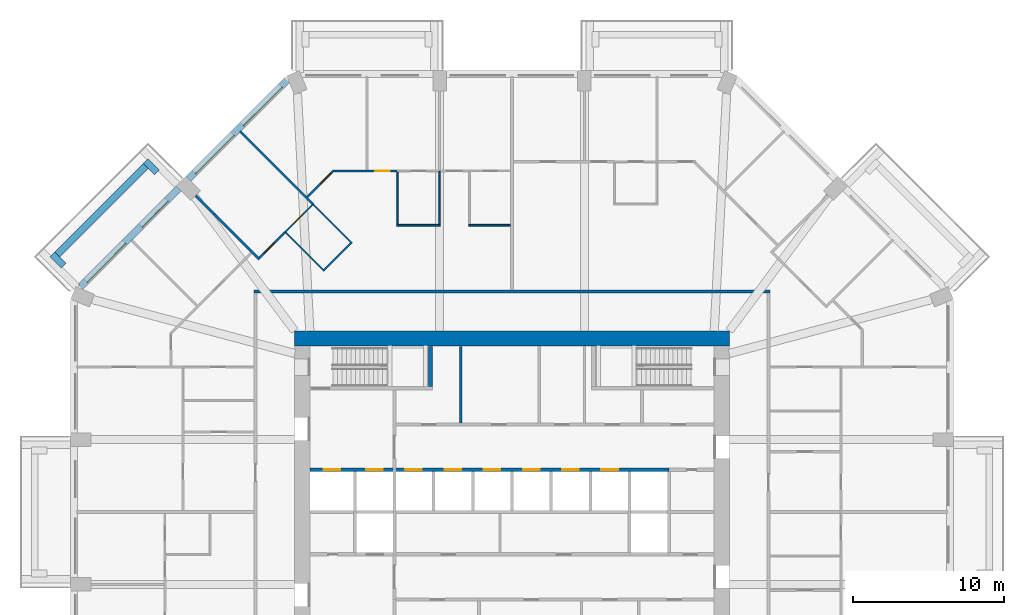
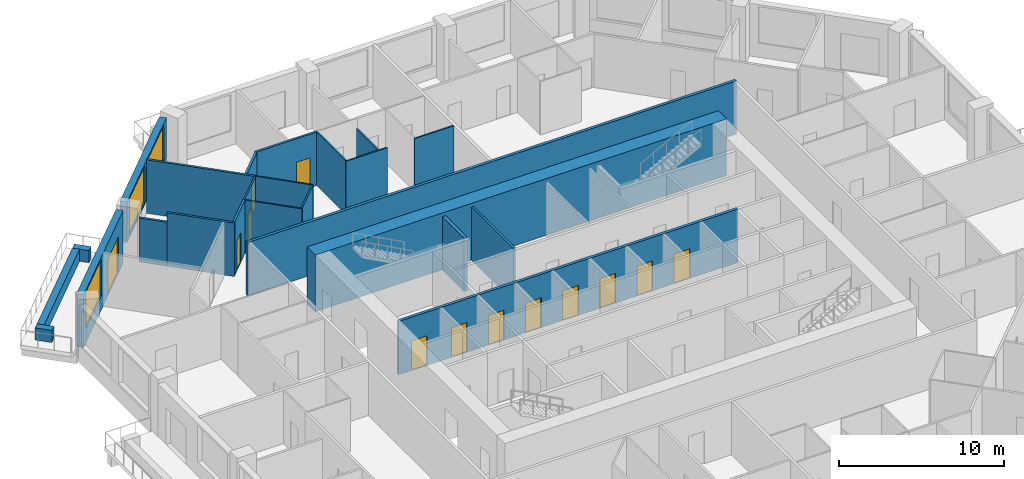
# One storey, part 8 of 13: 24 walls, 13 doors, 3 windows, 16 openings.
"""IFC4 building model written with IfcOpenShell, lengths in metres."""

from ifc_helpers import new_model, si_unit, direction, frame, frame_2d, origin, place, context, subcontext, project, spatial, rectangle, extrude, material, layer, layer_set, type_object, element, fill, save


model = new_model("IFC4")

# Units and contexts
model_context = context("Model", 3, precision=1e-05, world=origin(), true_north=direction((0.0, 1.0)))
body_context = subcontext(model_context, "Body", "Model", "MODEL_VIEW")
ifc_project = project(units=[si_unit("LENGTHUNIT", "METRE"), si_unit("AREAUNIT", "SQUARE_METRE"), si_unit("VOLUMEUNIT", "CUBIC_METRE"), si_unit("PLANEANGLEUNIT", "RADIAN"), si_unit("MASSUNIT", "GRAM", prefix="KILO")], contexts=[model_context])

# Site, building, storey
site_placement = place(None, origin())
site = spatial("IfcSite", under=ifc_project, at=site_placement, CompositionType="ELEMENT")
building_placement = place(site_placement, origin())
building = spatial("IfcBuilding", under=site, at=building_placement, Name="Msitu Wima Residences", CompositionType="ELEMENT")
storey_placement = place(building_placement, frame((0.0, 0.0, 38.10009765625)))
storey = spatial("IfcBuildingStorey", under=building, at=storey_placement, Name="L08", CompositionType="ELEMENT", Elevation=38.10009765625)

# Walls
ifc_material_1 = material(Name="Facing brick")
ifc_layer_1 = layer(ifc_material_1, 0.06494140625, Name="Facing brick")
ifc_material_2 = material(Name="Concrete C40/50", Category="concrete")
ifc_layer_2 = layer(ifc_material_2, 0.156005859375, Name="Concrete C40/50")
ifc_material_3 = material(Name="Waterproofing membrane")
ifc_layer_3 = layer(ifc_material_3, 0.00390625, Name="Waterproofing membrane")
ifc_material_4 = material(Name="Planting soil and planting")
ifc_layer_4 = layer(ifc_material_4, 0.22509765625, Name="Planting soil and planting")
ifc_layer_set_1 = layer_set([ifc_layer_1, ifc_layer_2, ifc_layer_3, ifc_layer_4], Name="Concrete C40/50")
wall_type_1 = type_object("IfcWallType", Name="Balcony planter PLANTER PL450", PredefinedType="USERDEFINED", material=ifc_layer_set_1)
wall_1_placement = place(storey_placement, frame((-24.269287109375, 22.92578125, 0.0), z_axis=(0.0, 0.0, 1.0), x_axis=(-0.707106781187, -0.707106781187, 0.0)))
element("IfcWall", 1, at=wall_1_placement, inside=storey, type_object=wall_type_1, Name="Balcony planter NW1 L08", ObjectType="PLANTER", PredefinedType="USERDEFINED", context=body_context, shape_type="SweptSolid", body=[
    extrude(rectangle(XDim=8.2822265625, YDim=0.449951171875, at=frame_2d((4.14111328125, 0.0))), origin(), (0.0, 0.0, 1.0), 0.89990234375),
])
for number, where, z_axis, x_axis, name in (
    (2, (-23.52685546875, 22.50146484375, 0.0), (0.0, 0.0, 1.0), (-0.706990528533, 0.707223014731, 0.0), "Balcony planter NW1 L08"),
    (3, (-29.70166015625, 16.326904296875, 0.0), (0.0, 0.0, 1.0), (-0.707106781187, 0.707106781187, 0.0), "Balcony planter NW1 L08"),
):
    element("IfcWall", number, at=place(storey_placement, frame(where, z_axis=z_axis, x_axis=x_axis)), inside=storey, type_object=wall_type_1, Name=name, ObjectType="PLANTER", PredefinedType="USERDEFINED", context=body_context, shape_type="SweptSolid", body=[
        extrude(rectangle(XDim=1.050048828125, YDim=0.449951171875, at=frame_2d((0.52490234375, 0.0))), origin(), (0.0, 0.0, 1.0), 0.89990234375),
    ])

# Wall, openings, windows
ifc_material_5 = material(Name="Brick (red buff mix)", Category="masonry")
ifc_layer_5 = layer(ifc_material_5, 0.449951171875)
ifc_layer_set_2 = layer_set([ifc_layer_5], Name="Brick (red buff mix)")
wall_type_2 = type_object("IfcWallType", Name="Brick infill wall BW450", PredefinedType="SOLIDWALL", material=ifc_layer_set_2)
wall_2_placement = place(storey_placement, frame((-14.903564453125, 28.61474609375, 0.89990234375), z_axis=(0.0, 0.0, 1.0), x_axis=(-0.707106781187, -0.707106781187, 0.0)))
wall_2 = element("IfcWall", 4, at=wall_2_placement, inside=storey, type_object=wall_type_2, Name="Brick infill wall L08 NW0", PredefinedType="SOLIDWALL", context=body_context, shape_type="SweptSolid", body=[
    extrude(rectangle(XDim=9.2451171875, YDim=0.449951171875, at=frame_2d((4.62255859375, 0.0))), origin(), (0.0, 0.0, 1.0), 3.0),
])
opening_1_placement = place(wall_2_placement, frame((0.572509765625, 0.0, 0.14990234375)))
opening_1 = element("IfcOpeningElement", 5, at=opening_1_placement, cuts=wall_2, Name="Opening W08-10.013", PredefinedType="OPENING", context=body_context, shape_type="SweptSolid", body=[
    extrude(rectangle(XDim=3.60009765625, YDim=2.699951171875, at=frame_2d((1.800048828125, 1.35009765625))), frame((0.0, 0.23486328125, 0.0), z_axis=(0.0, -1.0, 0.0), x_axis=(1.0, 0.0, 0.0)), (0.0, 0.0, 1.0), 0.469970703125),
])
opening_2_placement = place(wall_2_placement, frame((5.072509765625, 0.0, 0.14990234375)))
opening_2 = element("IfcOpeningElement", 6, at=opening_2_placement, cuts=wall_2, Name="Opening W08-10.014", PredefinedType="OPENING", context=body_context, shape_type="SweptSolid", body=[
    extrude(rectangle(XDim=3.60009765625, YDim=2.699951171875, at=frame_2d((1.800048828125, 1.35009765625))), frame((0.0, 0.23486328125, 0.0), z_axis=(0.0, -1.0, 0.0), x_axis=(1.0, 0.0, 0.0)), (0.0, 0.0, 1.0), 0.469970703125),
])
ifc_material_6 = material(Name="Anodised aluminium, bronze finish, clear low-emissivity double glazing", Category="aluminium")
window_type = type_object("IfcWindowType", Name="Window W3600x2700", PartitioningType="DOUBLE_PANEL_VERTICAL", PredefinedType="WINDOW", material=ifc_material_6)
window_1_placement = place(opening_1_placement, origin())
window_1 = element("IfcWindow", 7, at=window_1_placement, inside=storey, type_object=window_type, Name="Window L08 NW0.1", OverallHeight=2.699951171875, OverallWidth=3.60009765625, PartitioningType="SINGLE_PANEL", PredefinedType="WINDOW", context=body_context, shape_type="SweptSolid", body=[
    extrude(rectangle(XDim=3.60009765625, YDim=2.699951171875, at=frame_2d((1.800048828125, 1.35009765625))), frame((0.0, 0.135009765625, 0.0), z_axis=(0.0, -1.0, 0.0), x_axis=(1.0, 0.0, 0.0)), (0.0, 0.0, 1.0), 0.06005859375),
])
fill(opening_1, window_1)
window_2_placement = place(opening_2_placement, origin())
window_2 = element("IfcWindow", 8, at=window_2_placement, inside=storey, type_object=window_type, Name="Window L08 NW0.2", OverallHeight=2.699951171875, OverallWidth=3.60009765625, PartitioningType="SINGLE_PANEL", PredefinedType="WINDOW", context=body_context, shape_type="SweptSolid", body=[
    extrude(rectangle(XDim=3.60009765625, YDim=2.699951171875, at=frame_2d((1.800048828125, 1.35009765625))), frame((0.0, 0.135009765625, 0.0), z_axis=(0.0, -1.0, 0.0), x_axis=(1.0, 0.0, 0.0)), (0.0, 0.0, 1.0), 0.06005859375),
])
fill(opening_2, window_2)

# Wall, openings, door, window
wall_3_placement = place(storey_placement, frame((-22.077392578125, 21.44091796875, 0.0), z_axis=(0.0, 0.0, 1.0), x_axis=(-0.707106781187, -0.707106781187, 0.0)))
wall_3 = element("IfcWall", 9, at=wall_3_placement, inside=storey, type_object=wall_type_2, Name="Brick infill wall L08 NW1", PredefinedType="SOLIDWALL", context=body_context, shape_type="SweptSolid", body=[
    extrude(rectangle(XDim=9.2451171875, YDim=0.449951171875, at=frame_2d((4.62255859375, 0.0))), origin(), (0.0, 0.0, 1.0), 3.89990234375),
])
opening_3_placement = place(wall_3_placement, frame((1.111328125, 0.0, 0.0)))
opening_3 = element("IfcOpeningElement", 10, at=opening_3_placement, cuts=wall_3, Name="Opening D08-10.005", PredefinedType="OPENING", context=body_context, shape_type="SweptSolid", body=[
    extrude(rectangle(XDim=2.39990234375, YDim=2.699951171875, at=frame_2d((1.199951171875, 1.35009765625))), frame((0.0, 0.23486328125, 0.0), z_axis=(0.0, -1.0, 0.0), x_axis=(1.0, 0.0, 0.0)), (0.0, 0.0, 1.0), 0.469970703125),
])
opening_4_placement = place(wall_3_placement, frame((5.072509765625, 0.0, 1.050048828125)))
opening_4 = element("IfcOpeningElement", 11, at=opening_4_placement, cuts=wall_3, Name="Opening W08-10.015", PredefinedType="OPENING", context=body_context, shape_type="SweptSolid", body=[
    extrude(rectangle(XDim=3.60009765625, YDim=2.699951171875, at=frame_2d((1.800048828125, 1.35009765625))), frame((0.0, 0.23486328125, 0.0), z_axis=(0.0, -1.0, 0.0), x_axis=(1.0, 0.0, 0.0)), (0.0, 0.0, 1.0), 0.469970703125),
])
door_type_1 = type_object("IfcDoorType", Name="Balcony door D2400x2700", OperationType="SLIDING_TO_LEFT", PredefinedType="DOOR", material=ifc_material_6)
door_1_placement = place(opening_3_placement, origin())
door_1 = element("IfcDoor", 12, at=door_1_placement, inside=storey, type_object=door_type_1, Name="Balcony door L08 NW1", OperationType="SINGLE_SWING_LEFT", OverallHeight=2.699951171875, OverallWidth=2.39990234375, PredefinedType="DOOR", context=body_context, shape_type="SweptSolid", body=[
    extrude(rectangle(XDim=2.39990234375, YDim=2.699951171875, at=frame_2d((1.199951171875, 1.35009765625))), frame((0.0, 0.1298828125, 0.0), z_axis=(0.0, -1.0, 0.0), x_axis=(1.0, 0.0, 0.0)), (0.0, 0.0, 1.0), 0.050048828125),
])
fill(opening_3, door_1)
window_3_placement = place(opening_4_placement, origin())
window_3 = element("IfcWindow", 13, at=window_3_placement, inside=storey, type_object=window_type, Name="Window L08 NW1.2", OverallHeight=2.699951171875, OverallWidth=3.60009765625, PartitioningType="SINGLE_PANEL", PredefinedType="WINDOW", context=body_context, shape_type="SweptSolid", body=[
    extrude(rectangle(XDim=3.60009765625, YDim=2.699951171875, at=frame_2d((1.800048828125, 1.35009765625))), frame((0.0, 0.135009765625, 0.0), z_axis=(0.0, -1.0, 0.0), x_axis=(1.0, 0.0, 0.0)), (0.0, 0.0, 1.0), 0.06005859375),
])
fill(opening_4, window_3)

# Walls
ifc_material_7 = material(Name="Concrete C80/95", Category="concrete")
ifc_layer_6 = layer(ifc_material_7, 1.0)
ifc_layer_set_3 = layer_set([ifc_layer_6], Name="Concrete C80/95")
wall_type_3 = type_object("IfcWallType", Name="Core wall CW1000 C80/95", PredefinedType="SHEAR", material=ifc_layer_set_3)
wall_4_placement = place(storey_placement, frame((-14.39990234375, 11.5, 0.0), z_axis=(0.0, 0.0, 1.0), x_axis=(1.0, 0.0, 0.0)))
element("IfcWall", 14, at=wall_4_placement, inside=storey, type_object=wall_type_3, Name="Core wall", PredefinedType="SHEAR", context=body_context, shape_type="SweptSolid", body=[
    extrude(rectangle(XDim=28.7998046875, YDim=1.0, at=frame_2d((14.39990234375, 0.0))), origin(), (0.0, 0.0, 1.0), 4.199951171875),
])
ifc_material_8 = material(Name="Plaster")
ifc_layer_7 = layer(ifc_material_8, 0.011962890625, Name="Plaster")
ifc_material_9 = material(Name="Concrete blockwork", Category="masonry")
ifc_layer_8 = layer(ifc_material_9, 0.176025390625, Name="Concrete blockwork")
ifc_layer_9 = layer(ifc_material_8, 0.011962890625, Name="Plaster")
ifc_layer_set_4 = layer_set([ifc_layer_7, ifc_layer_8, ifc_layer_9], Name="Concrete blockwork")
wall_type_4 = type_object("IfcWallType", Name="Corridor wall FW200", PredefinedType="PARTITIONING", material=ifc_layer_set_4)
wall_5_placement = place(storey_placement, frame((-17.10009765625, 14.60009765625, 0.0), z_axis=(0.0, 0.0, 1.0), x_axis=(1.0, 0.0, 0.0)))
element("IfcWall", 15, at=wall_5_placement, inside=storey, type_object=wall_type_4, Name="Corridor wall", PredefinedType="PARTITIONING", context=body_context, shape_type="SweptSolid", body=[
    extrude(rectangle(XDim=34.2001953125, YDim=0.199951171875, at=frame_2d((17.10009765625, 0.0))), origin(), (0.0, 0.0, 1.0), 3.949951171875),
])
ifc_layer_10 = layer(ifc_material_8, 0.011962890625, Name="Plaster")
ifc_layer_11 = layer(ifc_material_9, 0.1259765625, Name="Concrete blockwork")
ifc_layer_12 = layer(ifc_material_8, 0.011962890625, Name="Plaster")
ifc_layer_set_5 = layer_set([ifc_layer_10, ifc_layer_11, ifc_layer_12], Name="Concrete blockwork")
wall_type_5 = type_object("IfcWallType", Name="Partition PW150", PredefinedType="PARTITIONING", material=ifc_layer_set_5)
wall_6_placement = place(storey_placement, frame((-20.963623046875, 20.963623046875, 0.0), z_axis=(0.0, 0.0, 1.0), x_axis=(0.707106781187, -0.707106781187, 0.0)))
element("IfcWall", 16, at=wall_6_placement, inside=storey, type_object=wall_type_5, Name="Partition", PredefinedType="PARTITIONING", context=body_context, shape_type="SweptSolid", body=[
    extrude(rectangle(XDim=1.74853515625, YDim=0.14990234375, at=frame_2d((0.874267578125, 0.0))), origin(), (0.0, 0.0, 1.0), 3.25),
])
wall_7_placement = place(storey_placement, frame((-19.727294921875, 19.727294921875, 0.0), z_axis=(0.0, 0.0, 1.0), x_axis=(0.707106781187, -0.707106781187, 0.0)))
element("IfcWall", 17, at=wall_7_placement, inside=storey, type_object=wall_type_5, Name="Partition", PredefinedType="PARTITIONING", context=body_context, shape_type="SweptSolid", body=[
    extrude(rectangle(XDim=4.226806640625, YDim=0.14990234375, at=frame_2d((2.11328125, 0.0))), origin(), (0.0, 0.0, 1.0), 3.949951171875),
])
wall_8_placement = place(storey_placement, frame((-18.017578125, 25.2177734375, 0.0), z_axis=(0.0, 0.0, 1.0), x_axis=(0.707088947697, -0.707124614226, 0.0)))
element("IfcWall", 18, at=wall_8_placement, inside=storey, type_object=wall_type_5, Name="Partition", PredefinedType="PARTITIONING", context=body_context, shape_type="SweptSolid", body=[
    extrude(rectangle(XDim=6.844970703125, YDim=0.14990234375, at=frame_2d((3.42236328125, 0.0))), origin(), (0.0, 0.0, 1.0), 3.949951171875),
])

# Wall, opening, door
wall_9_placement = place(storey_placement, frame((-16.738525390625, 16.8447265625, 0.0), z_axis=(0.0, 0.0, 1.0), x_axis=(0.707106781187, 0.707106781187, 0.0)))
wall_9 = element("IfcWall", 19, at=wall_9_placement, inside=storey, type_object=wall_type_5, Name="Partition", PredefinedType="PARTITIONING", context=body_context, shape_type="SweptSolid", body=[
    extrude(rectangle(XDim=2.396240234375, YDim=0.14990234375, at=frame_2d((1.1982421875, 0.0))), origin(), (0.0, 0.0, 1.0), 3.949951171875),
])
opening_5_placement = place(wall_9_placement, frame((0.449951171875, 0.0, 0.0)))
opening_5 = element("IfcOpeningElement", 20, at=opening_5_placement, cuts=wall_9, Name="Opening D08-10.054", PredefinedType="OPENING", context=body_context, shape_type="SweptSolid", body=[
    extrude(rectangle(XDim=0.949951171875, YDim=2.199951171875, at=frame_2d((0.47509765625, 1.10009765625))), frame((0.0, 0.0849609375, 0.0), z_axis=(0.0, -1.0, 0.0), x_axis=(1.0, 0.0, 0.0)), (0.0, 0.0, 1.0), 0.169921875),
])
ifc_material_10 = material(Name="Timber flush door", Category="wood")
door_type_2 = type_object("IfcDoorType", Name="Room door D12 950x2200", OperationType="SINGLE_SWING_LEFT", PredefinedType="DOOR", material=ifc_material_10)
door_2_placement = place(opening_5_placement, origin())
door_2 = element("IfcDoor", 21, at=door_2_placement, inside=storey, type_object=door_type_2, Name="Room door", OperationType="SINGLE_SWING_LEFT", OverallHeight=2.199951171875, OverallWidth=0.949951171875, PredefinedType="DOOR", context=body_context, shape_type="SweptSolid", body=[
    extrude(rectangle(XDim=0.949951171875, YDim=2.199951171875, at=frame_2d((0.47509765625, 1.10009765625))), frame((0.0, 0.02490234375, 0.0), z_axis=(0.0, -1.0, 0.0), x_axis=(1.0, 0.0, 0.0)), (0.0, 0.0, 1.0), 0.050048828125),
])
fill(opening_5, door_2)

wall_10_placement = place(storey_placement, frame((-13.56298828125, 20.868896484375, 0.0), z_axis=(0.0, 0.0, 1.0), x_axis=(0.707106781187, 0.707106781187, 0.0)))
wall_10 = element("IfcWall", 22, at=wall_10_placement, inside=storey, type_object=wall_type_5, Name="Partition", PredefinedType="PARTITIONING", context=body_context, shape_type="SweptSolid", body=[
    extrude(rectangle(XDim=2.373046875, YDim=0.14990234375, at=frame_2d((1.1865234375, 0.0))), origin(), (0.0, 0.0, 1.0), 3.949951171875),
])
opening_6_placement = place(wall_10_placement, frame((1.25, 0.0, 0.0)))
opening_6 = element("IfcOpeningElement", 23, at=opening_6_placement, cuts=wall_10, Name="Opening D08-10.057", PredefinedType="OPENING", context=body_context, shape_type="SweptSolid", body=[
    extrude(rectangle(XDim=0.949951171875, YDim=2.199951171875, at=frame_2d((0.47509765625, 1.10009765625))), frame((0.0, 0.0849609375, 0.0), z_axis=(0.0, -1.0, 0.0), x_axis=(1.0, 0.0, 0.0)), (0.0, 0.0, 1.0), 0.169921875),
])
door_3_placement = place(opening_6_placement, origin())
door_3 = element("IfcDoor", 24, at=door_3_placement, inside=storey, type_object=door_type_2, Name="Room door", OperationType="SINGLE_SWING_LEFT", OverallHeight=2.199951171875, OverallWidth=0.949951171875, PredefinedType="DOOR", context=body_context, shape_type="SweptSolid", body=[
    extrude(rectangle(XDim=0.949951171875, YDim=2.199951171875, at=frame_2d((0.47509765625, 1.10009765625))), frame((0.0, 0.02490234375, 0.0), z_axis=(0.0, -1.0, 0.0), x_axis=(1.0, 0.0, 0.0)), (0.0, 0.0, 1.0), 0.050048828125),
])
fill(opening_6, door_3)

wall_11_placement = place(storey_placement, frame((-11.906982421875, 22.60009765625, 0.0), z_axis=(0.0, 0.0, 1.0), x_axis=(1.0, 0.0, 0.0)))
wall_11 = element("IfcWall", 25, at=wall_11_placement, inside=storey, type_object=wall_type_5, Name="Partition", PredefinedType="PARTITIONING", context=body_context, shape_type="SweptSolid", body=[
    extrude(rectangle(XDim=4.306884765625, YDim=0.14990234375, at=frame_2d((2.1533203125, 0.0))), origin(), (0.0, 0.0, 1.0), 3.949951171875),
])
opening_7_placement = place(wall_11_placement, frame((2.85009765625, 0.0, 0.0)))
opening_7 = element("IfcOpeningElement", 26, at=opening_7_placement, cuts=wall_11, Name="Opening D08-10.049", PredefinedType="OPENING", context=body_context, shape_type="SweptSolid", body=[
    extrude(rectangle(XDim=0.949951171875, YDim=2.199951171875, at=frame_2d((0.47509765625, 1.10009765625))), frame((0.0, 0.0849609375, 0.0), z_axis=(0.0, -1.0, 0.0), x_axis=(1.0, 0.0, 0.0)), (0.0, 0.0, 1.0), 0.169921875),
])
door_4_placement = place(opening_7_placement, origin())
door_4 = element("IfcDoor", 27, at=door_4_placement, inside=storey, type_object=door_type_2, Name="Room door", OperationType="SINGLE_SWING_LEFT", OverallHeight=2.199951171875, OverallWidth=0.949951171875, PredefinedType="DOOR", context=body_context, shape_type="SweptSolid", body=[
    extrude(rectangle(XDim=0.949951171875, YDim=2.199951171875, at=frame_2d((0.47509765625, 1.10009765625))), frame((0.0, 0.02490234375, 0.0), z_axis=(0.0, -1.0, 0.0), x_axis=(1.0, 0.0, 0.0)), (0.0, 0.0, 1.0), 0.050048828125),
])
fill(opening_7, door_4)

# Wall
wall_12_placement = place(storey_placement, frame((-3.39990234375, 5.89990234375, 0.0), z_axis=(0.0, 0.0, 1.0), x_axis=(0.0, 1.0, 0.0)))
element("IfcWall", 28, at=wall_12_placement, inside=storey, type_object=wall_type_5, Name="Partition", PredefinedType="PARTITIONING", context=body_context, shape_type="SweptSolid", body=[
    extrude(rectangle(XDim=5.070068359375, YDim=0.14990234375, at=frame_2d((2.53515625, 0.0))), origin(), (0.0, 0.0, 1.0), 3.949951171875),
])

# Wall, openings, doors
ifc_material_11 = material(Name="Fire-rated board")
ifc_layer_13 = layer(ifc_material_11, 0.02490234375, Name="Fire-rated board")
ifc_material_12 = material(Name="Light-gauge stud framing with mineral wool")
ifc_layer_14 = layer(ifc_material_12, 0.14990234375, Name="Light-gauge stud framing with mineral wool")
ifc_layer_15 = layer(ifc_material_11, 0.02490234375, Name="Fire-rated board")
ifc_layer_set_6 = layer_set([ifc_layer_13, ifc_layer_14, ifc_layer_15], Name="Light-gauge stud framing with mineral wool")
wall_type_6 = type_object("IfcWallType", Name="Shaft wall SH200", PredefinedType="PARTITIONING", material=ifc_layer_set_6)
wall_13_placement = place(storey_placement, frame((-13.3701171875, 2.800048828125, 0.0), z_axis=(0.0, 0.0, 1.0), x_axis=(1.0, 0.0, 0.0)))
wall_13 = element("IfcWall", 29, at=wall_13_placement, inside=storey, type_object=wall_type_6, Name="Shaft wall", PredefinedType="PARTITIONING", context=body_context, shape_type="SweptSolid", body=[
    extrude(rectangle(XDim=23.77001953125, YDim=0.199951171875, at=frame_2d((11.885009765625, 0.0))), origin(), (0.0, 0.0, 1.0), 3.949951171875),
])
opening_8_placement = place(wall_13_placement, frame((0.89990234375, 0.0, 0.0)))
opening_8 = element("IfcOpeningElement", 30, at=opening_8_placement, cuts=wall_13, Name="Opening LD", PredefinedType="OPENING", context=body_context, shape_type="SweptSolid", body=[
    extrude(rectangle(XDim=1.10009765625, YDim=2.199951171875, at=frame_2d((0.550048828125, 1.10009765625))), frame((0.0, 0.10986328125, 0.0), z_axis=(0.0, -1.0, 0.0), x_axis=(1.0, 0.0, 0.0)), (0.0, 0.0, 1.0), 0.219970703125),
])
opening_9_placement = place(wall_13_placement, frame((3.699951171875, 0.0, 0.0)))
opening_9 = element("IfcOpeningElement", 31, at=opening_9_placement, cuts=wall_13, Name="Opening LD", PredefinedType="OPENING", context=body_context, shape_type="SweptSolid", body=[
    extrude(rectangle(XDim=1.10009765625, YDim=2.199951171875, at=frame_2d((0.550048828125, 1.10009765625))), frame((0.0, 0.10986328125, 0.0), z_axis=(0.0, -1.0, 0.0), x_axis=(1.0, 0.0, 0.0)), (0.0, 0.0, 1.0), 0.219970703125),
])
opening_10_placement = place(wall_13_placement, frame((6.300048828125, 0.0, 0.0)))
opening_10 = element("IfcOpeningElement", 32, at=opening_10_placement, cuts=wall_13, Name="Opening LD", PredefinedType="OPENING", context=body_context, shape_type="SweptSolid", body=[
    extrude(rectangle(XDim=1.10009765625, YDim=2.199951171875, at=frame_2d((0.550048828125, 1.10009765625))), frame((0.0, 0.10986328125, 0.0), z_axis=(0.0, -1.0, 0.0), x_axis=(1.0, 0.0, 0.0)), (0.0, 0.0, 1.0), 0.219970703125),
])
opening_11_placement = place(wall_13_placement, frame((8.89990234375, 0.0, 0.0)))
opening_11 = element("IfcOpeningElement", 33, at=opening_11_placement, cuts=wall_13, Name="Opening LD", PredefinedType="OPENING", context=body_context, shape_type="SweptSolid", body=[
    extrude(rectangle(XDim=1.10009765625, YDim=2.199951171875, at=frame_2d((0.550048828125, 1.10009765625))), frame((0.0, 0.10986328125, 0.0), z_axis=(0.0, -1.0, 0.0), x_axis=(1.0, 0.0, 0.0)), (0.0, 0.0, 1.0), 0.219970703125),
])
opening_12_placement = place(wall_13_placement, frame((11.5, 0.0, 0.0)))
opening_12 = element("IfcOpeningElement", 34, at=opening_12_placement, cuts=wall_13, Name="Opening LD", PredefinedType="OPENING", context=body_context, shape_type="SweptSolid", body=[
    extrude(rectangle(XDim=1.10009765625, YDim=2.199951171875, at=frame_2d((0.550048828125, 1.10009765625))), frame((0.0, 0.10986328125, 0.0), z_axis=(0.0, -1.0, 0.0), x_axis=(1.0, 0.0, 0.0)), (0.0, 0.0, 1.0), 0.219970703125),
])
opening_13_placement = place(wall_13_placement, frame((14.10009765625, 0.0, 0.0)))
opening_13 = element("IfcOpeningElement", 35, at=opening_13_placement, cuts=wall_13, Name="Opening LD", PredefinedType="OPENING", context=body_context, shape_type="SweptSolid", body=[
    extrude(rectangle(XDim=1.10009765625, YDim=2.199951171875, at=frame_2d((0.550048828125, 1.10009765625))), frame((0.0, 0.10986328125, 0.0), z_axis=(0.0, -1.0, 0.0), x_axis=(1.0, 0.0, 0.0)), (0.0, 0.0, 1.0), 0.219970703125),
])
opening_14_placement = place(wall_13_placement, frame((16.699951171875, 0.0, 0.0)))
opening_14 = element("IfcOpeningElement", 36, at=opening_14_placement, cuts=wall_13, Name="Opening LD", PredefinedType="OPENING", context=body_context, shape_type="SweptSolid", body=[
    extrude(rectangle(XDim=1.10009765625, YDim=2.199951171875, at=frame_2d((0.550048828125, 1.10009765625))), frame((0.0, 0.10986328125, 0.0), z_axis=(0.0, -1.0, 0.0), x_axis=(1.0, 0.0, 0.0)), (0.0, 0.0, 1.0), 0.219970703125),
])
opening_15_placement = place(wall_13_placement, frame((19.300048828125, 0.0, 0.0)))
opening_15 = element("IfcOpeningElement", 37, at=opening_15_placement, cuts=wall_13, Name="Opening LD", PredefinedType="OPENING", context=body_context, shape_type="SweptSolid", body=[
    extrude(rectangle(XDim=1.10009765625, YDim=2.199951171875, at=frame_2d((0.550048828125, 1.10009765625))), frame((0.0, 0.10986328125, 0.0), z_axis=(0.0, -1.0, 0.0), x_axis=(1.0, 0.0, 0.0)), (0.0, 0.0, 1.0), 0.219970703125),
])
ifc_material_13 = material(Name="Stainless steel centre-opening landing door, rated", Category="steel")
door_type_3 = type_object("IfcDoorType", Name="Lift landing door LD 1100x2200", OperationType="DOUBLE_DOOR_SLIDING", PredefinedType="DOOR", material=ifc_material_13)
door_5_placement = place(opening_8_placement, origin())
door_5 = element("IfcDoor", 38, at=door_5_placement, inside=storey, type_object=door_type_3, Name="Lift landing door LD1", OperationType="DOUBLE_DOOR_SLIDING", OverallHeight=2.199951171875, OverallWidth=1.10009765625, PredefinedType="DOOR", context=body_context, shape_type="SweptSolid", body=[
    extrude(rectangle(XDim=1.10009765625, YDim=2.199951171875, at=frame_2d((0.550048828125, 1.10009765625))), frame((0.0, 0.02490234375, 0.0), z_axis=(0.0, -1.0, 0.0), x_axis=(1.0, 0.0, 0.0)), (0.0, 0.0, 1.0), 0.050048828125),
])
fill(opening_8, door_5)
door_6_placement = place(opening_9_placement, origin())
door_6 = element("IfcDoor", 39, at=door_6_placement, inside=storey, type_object=door_type_3, Name="Lift landing door LD2", OperationType="DOUBLE_DOOR_SLIDING", OverallHeight=2.199951171875, OverallWidth=1.10009765625, PredefinedType="DOOR", context=body_context, shape_type="SweptSolid", body=[
    extrude(rectangle(XDim=1.10009765625, YDim=2.199951171875, at=frame_2d((0.550048828125, 1.10009765625))), frame((0.0, 0.02490234375, 0.0), z_axis=(0.0, -1.0, 0.0), x_axis=(1.0, 0.0, 0.0)), (0.0, 0.0, 1.0), 0.050048828125),
])
fill(opening_9, door_6)
door_7_placement = place(opening_10_placement, origin())
door_7 = element("IfcDoor", 40, at=door_7_placement, inside=storey, type_object=door_type_3, Name="Lift landing door LD4", OperationType="DOUBLE_DOOR_SLIDING", OverallHeight=2.199951171875, OverallWidth=1.10009765625, PredefinedType="DOOR", context=body_context, shape_type="SweptSolid", body=[
    extrude(rectangle(XDim=1.10009765625, YDim=2.199951171875, at=frame_2d((0.550048828125, 1.10009765625))), frame((0.0, 0.02490234375, 0.0), z_axis=(0.0, -1.0, 0.0), x_axis=(1.0, 0.0, 0.0)), (0.0, 0.0, 1.0), 0.050048828125),
])
fill(opening_10, door_7)
door_8_placement = place(opening_11_placement, origin())
door_8 = element("IfcDoor", 41, at=door_8_placement, inside=storey, type_object=door_type_3, Name="Lift landing door LD6", OperationType="DOUBLE_DOOR_SLIDING", OverallHeight=2.199951171875, OverallWidth=1.10009765625, PredefinedType="DOOR", context=body_context, shape_type="SweptSolid", body=[
    extrude(rectangle(XDim=1.10009765625, YDim=2.199951171875, at=frame_2d((0.550048828125, 1.10009765625))), frame((0.0, 0.02490234375, 0.0), z_axis=(0.0, -1.0, 0.0), x_axis=(1.0, 0.0, 0.0)), (0.0, 0.0, 1.0), 0.050048828125),
])
fill(opening_11, door_8)
door_9_placement = place(opening_12_placement, origin())
door_9 = element("IfcDoor", 42, at=door_9_placement, inside=storey, type_object=door_type_3, Name="Lift landing door LD8", OperationType="DOUBLE_DOOR_SLIDING", OverallHeight=2.199951171875, OverallWidth=1.10009765625, PredefinedType="DOOR", context=body_context, shape_type="SweptSolid", body=[
    extrude(rectangle(XDim=1.10009765625, YDim=2.199951171875, at=frame_2d((0.550048828125, 1.10009765625))), frame((0.0, 0.02490234375, 0.0), z_axis=(0.0, -1.0, 0.0), x_axis=(1.0, 0.0, 0.0)), (0.0, 0.0, 1.0), 0.050048828125),
])
fill(opening_12, door_9)
door_10_placement = place(opening_13_placement, origin())
door_10 = element("IfcDoor", 43, at=door_10_placement, inside=storey, type_object=door_type_3, Name="Lift landing door LD10", OperationType="DOUBLE_DOOR_SLIDING", OverallHeight=2.199951171875, OverallWidth=1.10009765625, PredefinedType="DOOR", context=body_context, shape_type="SweptSolid", body=[
    extrude(rectangle(XDim=1.10009765625, YDim=2.199951171875, at=frame_2d((0.550048828125, 1.10009765625))), frame((0.0, 0.02490234375, 0.0), z_axis=(0.0, -1.0, 0.0), x_axis=(1.0, 0.0, 0.0)), (0.0, 0.0, 1.0), 0.050048828125),
])
fill(opening_13, door_10)
door_11_placement = place(opening_14_placement, origin())
door_11 = element("IfcDoor", 44, at=door_11_placement, inside=storey, type_object=door_type_3, Name="Lift landing door LD12", OperationType="DOUBLE_DOOR_SLIDING", OverallHeight=2.199951171875, OverallWidth=1.10009765625, PredefinedType="DOOR", context=body_context, shape_type="SweptSolid", body=[
    extrude(rectangle(XDim=1.10009765625, YDim=2.199951171875, at=frame_2d((0.550048828125, 1.10009765625))), frame((0.0, 0.02490234375, 0.0), z_axis=(0.0, -1.0, 0.0), x_axis=(1.0, 0.0, 0.0)), (0.0, 0.0, 1.0), 0.050048828125),
])
fill(opening_14, door_11)
door_12_placement = place(opening_15_placement, origin())
door_12 = element("IfcDoor", 45, at=door_12_placement, inside=storey, type_object=door_type_3, Name="Lift landing door LD14", OperationType="DOUBLE_DOOR_SLIDING", OverallHeight=2.199951171875, OverallWidth=1.10009765625, PredefinedType="DOOR", context=body_context, shape_type="SweptSolid", body=[
    extrude(rectangle(XDim=1.10009765625, YDim=2.199951171875, at=frame_2d((0.550048828125, 1.10009765625))), frame((0.0, 0.02490234375, 0.0), z_axis=(0.0, -1.0, 0.0), x_axis=(1.0, 0.0, 0.0)), (0.0, 0.0, 1.0), 0.050048828125),
])
fill(opening_15, door_12)

# Wall
ifc_material_14 = material(Name="Concrete C50/60", Category="concrete")
ifc_layer_16 = layer(ifc_material_14, 0.25)
ifc_layer_set_7 = layer_set([ifc_layer_16], Name="Concrete C50/60")
wall_type_7 = type_object("IfcWallType", Name="Stair enclosure wall SW250", PredefinedType="SHEAR", material=ifc_layer_set_7)
wall_14_placement = place(storey_placement, frame((-5.39990234375, 8.324951171875, 0.0), z_axis=(0.0, 0.0, 1.0), x_axis=(0.0, 1.0, 0.0)))
element("IfcWall", 46, at=wall_14_placement, inside=storey, type_object=wall_type_7, Name="Stair enclosure wall", PredefinedType="SHEAR", context=body_context, shape_type="SweptSolid", body=[
    extrude(rectangle(XDim=2.64501953125, YDim=0.25, at=frame_2d((1.322509765625, 0.0))), origin(), (0.0, 0.0, 1.0), 3.949951171875),
])

# Wall, opening, door
ifc_material_15 = material(Name="Ceramic tiles")
ifc_layer_17 = layer(ifc_material_15, 0.008056640625, Name="Ceramic tiles")
ifc_material_16 = material(Name="Moisture-resistant board")
ifc_layer_18 = layer(ifc_material_16, 0.012451171875, Name="Moisture-resistant board")
ifc_layer_19 = layer(ifc_material_12, 0.06689453125, Name="Light-gauge stud framing with mineral wool")
ifc_layer_20 = layer(ifc_material_16, 0.012451171875, Name="Moisture-resistant board")
ifc_layer_set_8 = layer_set([ifc_layer_17, ifc_layer_18, ifc_layer_19, ifc_layer_20], Name="Light-gauge stud framing with mineral wool")
wall_type_8 = type_object("IfcWallType", Name="Wet wall PW100", PredefinedType="PARTITIONING", material=ifc_layer_set_8)
wall_15_placement = place(storey_placement, frame((-15.044189453125, 18.5390625, 0.0), z_axis=(0.0, 0.0, 1.0), x_axis=(0.707106781187, 0.707106781187, 0.0)))
wall_15 = element("IfcWall", 47, at=wall_15_placement, inside=storey, type_object=wall_type_8, Name="Wet wall", PredefinedType="PARTITIONING", context=body_context, shape_type="SweptSolid", body=[
    extrude(rectangle(XDim=2.56982421875, YDim=0.10009765625, at=frame_2d((1.284912109375, 0.0))), origin(), (0.0, 0.0, 1.0), 3.949951171875),
])
opening_16_placement = place(wall_15_placement, frame((0.85009765625, 0.0, 0.0)))
opening_16 = element("IfcOpeningElement", 48, at=opening_16_placement, cuts=wall_15, Name="Opening D08-10.055", PredefinedType="OPENING", context=body_context, shape_type="SweptSolid", body=[
    extrude(rectangle(XDim=0.89990234375, YDim=2.199951171875, at=frame_2d((0.449951171875, 1.10009765625))), frame((0.0, 0.06005859375, 0.0), z_axis=(0.0, -1.0, 0.0), x_axis=(1.0, 0.0, 0.0)), (0.0, 0.0, 1.0), 0.1201171875),
])
ifc_material_17 = material(Name="Timber flush door, moisture resistant", Category="wood")
door_type_4 = type_object("IfcDoorType", Name="Bathroom door D03 900x2200", OperationType="SINGLE_SWING_LEFT", PredefinedType="DOOR", material=ifc_material_17)
door_13_placement = place(opening_16_placement, origin())
door_13 = element("IfcDoor", 49, at=door_13_placement, inside=storey, type_object=door_type_4, Name="Bathroom door", OperationType="SINGLE_SWING_RIGHT", OverallHeight=2.199951171875, OverallWidth=0.89990234375, PredefinedType="DOOR", context=body_context, shape_type="SweptSolid", body=[
    extrude(rectangle(XDim=0.89990234375, YDim=2.199951171875, at=frame_2d((0.449951171875, 1.10009765625))), frame((0.0, 0.02490234375, 0.0), z_axis=(0.0, -1.0, 0.0), x_axis=(1.0, 0.0, 0.0)), (0.0, 0.0, 1.0), 0.050048828125),
])
fill(opening_16, door_13)

# Walls
wall_16_placement = place(storey_placement, frame((-14.994873046875, 18.517822265625, 0.0), z_axis=(0.0, 0.0, 1.0), x_axis=(0.707106781187, -0.707106781187, 0.0)))
element("IfcWall", 50, at=wall_16_placement, inside=storey, type_object=wall_type_8, Name="Wet wall", PredefinedType="PARTITIONING", context=body_context, shape_type="SweptSolid", body=[
    extrude(rectangle(XDim=3.60009765625, YDim=0.10009765625, at=frame_2d((1.800048828125, 0.0))), origin(), (0.0, 0.0, 1.0), 3.949951171875),
])
wall_17_placement = place(storey_placement, frame((-13.177490234375, 20.37744140625, 0.0), z_axis=(0.0, 0.0, 1.0), x_axis=(0.707106781187, -0.707106781187, 0.0)))
element("IfcWall", 51, at=wall_17_placement, inside=storey, type_object=wall_type_8, Name="Wet wall", PredefinedType="PARTITIONING", context=body_context, shape_type="SweptSolid", body=[
    extrude(rectangle(XDim=3.6298828125, YDim=0.10009765625, at=frame_2d((1.81494140625, 0.0))), origin(), (0.0, 0.0, 1.0), 3.949951171875),
])
wall_18_placement = place(storey_placement, frame((-12.44921875, 16.04296875, 0.0), z_axis=(0.0, 0.0, 1.0), x_axis=(0.707106781187, 0.707106781187, 0.0)))
element("IfcWall", 52, at=wall_18_placement, inside=storey, type_object=wall_type_8, Name="Wet wall", PredefinedType="PARTITIONING", context=body_context, shape_type="SweptSolid", body=[
    extrude(rectangle(XDim=2.5, YDim=0.10009765625, at=frame_2d((1.25, 0.0))), origin(), (0.0, 0.0, 1.0), 3.949951171875),
])
wall_19_placement = place(storey_placement, frame((-7.60009765625, 19.050048828125, 0.0), z_axis=(0.0, 0.0, 1.0), x_axis=(0.0, 1.0, 0.0)))
element("IfcWall", 53, at=wall_19_placement, inside=storey, type_object=wall_type_8, Name="Wet wall", PredefinedType="PARTITIONING", context=body_context, shape_type="SweptSolid", body=[
    extrude(rectangle(XDim=3.474853515625, YDim=0.10009765625, at=frame_2d((1.7373046875, 0.0))), origin(), (0.0, 0.0, 1.0), 3.949951171875),
])
wall_20_placement = place(storey_placement, frame((-7.64990234375, 19.0, 0.0), z_axis=(0.0, 0.0, 1.0), x_axis=(1.0, 0.0, 0.0)))
element("IfcWall", 54, at=wall_20_placement, inside=storey, type_object=wall_type_8, Name="Wet wall", PredefinedType="PARTITIONING", context=body_context, shape_type="SweptSolid", body=[
    extrude(rectangle(XDim=2.89990234375, YDim=0.10009765625, at=frame_2d((1.449951171875, 0.0))), origin(), (0.0, 0.0, 1.0), 3.949951171875),
])
wall_21_placement = place(storey_placement, frame((-4.800048828125, 19.050048828125, 0.0), z_axis=(0.0, 0.0, 1.0), x_axis=(0.0, 1.0, 0.0)))
element("IfcWall", 55, at=wall_21_placement, inside=storey, type_object=wall_type_8, Name="Wet wall", PredefinedType="PARTITIONING", context=body_context, shape_type="SweptSolid", body=[
    extrude(rectangle(XDim=3.530029296875, YDim=0.10009765625, at=frame_2d((1.76513671875, 0.0))), origin(), (0.0, 0.0, 1.0), 3.199951171875),
])
wall_22_placement = place(storey_placement, frame((-2.85009765625, 19.0, 0.0), z_axis=(0.0, 0.0, 1.0), x_axis=(1.0, 0.0, 0.0)))
element("IfcWall", 56, at=wall_22_placement, inside=storey, type_object=wall_type_8, Name="Wet wall", PredefinedType="PARTITIONING", context=body_context, shape_type="SweptSolid", body=[
    extrude(rectangle(XDim=2.75, YDim=0.10009765625, at=frame_2d((1.375, 0.0))), origin(), (0.0, 0.0, 1.0), 3.949951171875),
])

save(model, "model.ifc")
